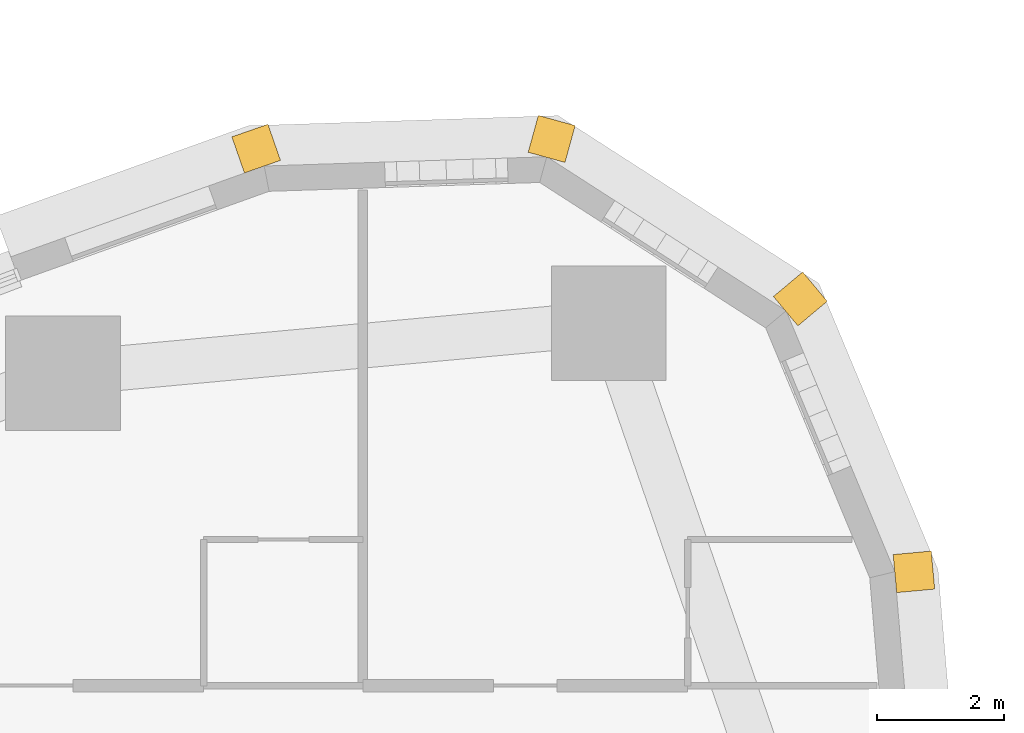
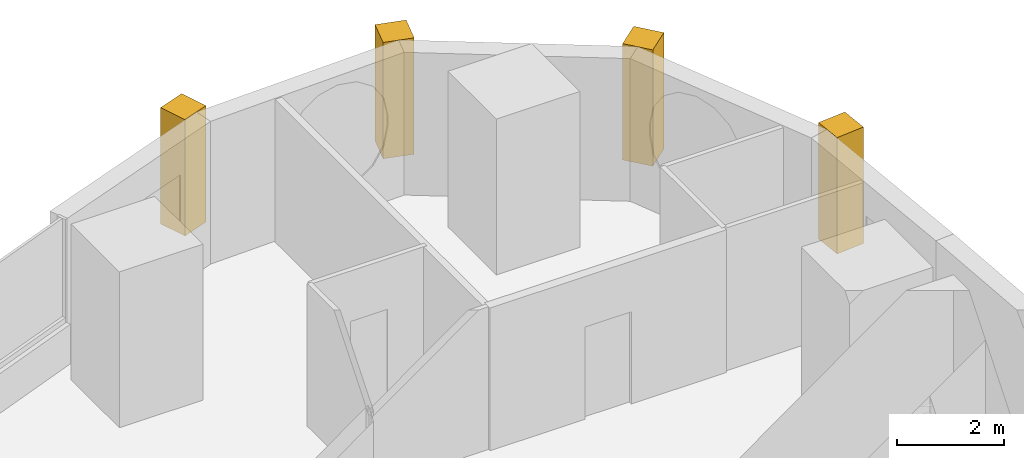
# One storey, part 19 of 19: 4 coverings.
"""IFC4 building model written with IfcOpenShell, lengths in metres."""

from ifc_helpers import new_model, si_unit, direction, frame, frame_2d, origin, place, context, subcontext, project, spatial, rectangle, extrude, material, layer, layer_set, type_object, element, save


model = new_model("IFC4")

# Units and contexts
model_context = context("Model", 3, precision=1e-05, world=origin(), true_north=direction((0.0, 1.0)))
body_context = subcontext(model_context, "Body", "Model", "MODEL_VIEW")
ifc_project = project(units=[si_unit("LENGTHUNIT", "METRE"), si_unit("AREAUNIT", "SQUARE_METRE"), si_unit("VOLUMEUNIT", "CUBIC_METRE"), si_unit("PLANEANGLEUNIT", "RADIAN"), si_unit("MASSUNIT", "GRAM", prefix="KILO")], contexts=[model_context])

# Site, building, storey
site_placement = place(None, origin())
site = spatial("IfcSite", under=ifc_project, at=site_placement, CompositionType="ELEMENT")
building_placement = place(site_placement, origin())
building = spatial("IfcBuilding", under=site, at=building_placement, Name="Ostrand Prow Hotel Tower", CompositionType="ELEMENT")
storey_placement = place(building_placement, frame((0.0, 0.0, 64.449951171875)))
storey = spatial("IfcBuildingStorey", under=building, at=storey_placement, Name="L14", CompositionType="ELEMENT", Elevation=64.449951171875)

# Coverings
ifc_material = material(Name="Limestone cladding", Category="masonry")
ifc_layer = layer(ifc_material, 0.60009765625)
ifc_layer_set = layer_set([ifc_layer], Name="Limestone cladding")
covering_type = type_object("IfcCoveringType", Name="Precast stone prow rib 600x600", PredefinedType="CLADDING", material=ifc_layer_set)
for number, where, z_axis, x_axis, name in (
    (1, (65.4580078125, 22.564453125, 0.60009765625), (0.0, 0.0, 1.0), (0.995724747837, 0.09237005221, 0.0), "Stone corner rib 16a"),
    (2, (63.74169921875, 26.6865234375, 0.60009765625), (0.0, 0.0, 1.0), (0.766985844654, 0.641664019639, 0.0), "Stone corner rib 17a"),
    (3, (59.98681640625, 29.1025390625, 0.60009765625), (0.0, 0.0, 1.0), (0.266111535611, 0.963942244439, 0.0), "Stone corner rib 18a"),
    (4, (55.524169921875, 28.956298828125, 0.60009765625), (0.0, 0.0, 1.0), (-0.328773122904, 0.94440893349, 0.0), "Stone corner rib 18b"),
):
    element("IfcCovering", number, at=place(storey_placement, frame(where, z_axis=z_axis, x_axis=x_axis)), inside=storey, type_object=covering_type, Name=name, PredefinedType="CLADDING", context=body_context, shape_type="SweptSolid", body=[
        extrude(rectangle(XDim=0.60009765625, YDim=0.60009765625, at=frame_2d((0.300048828125, 0.0))), origin(), (0.0, 0.0, 1.0), 2.64990234375),
    ])

save(model, "model.ifc")
